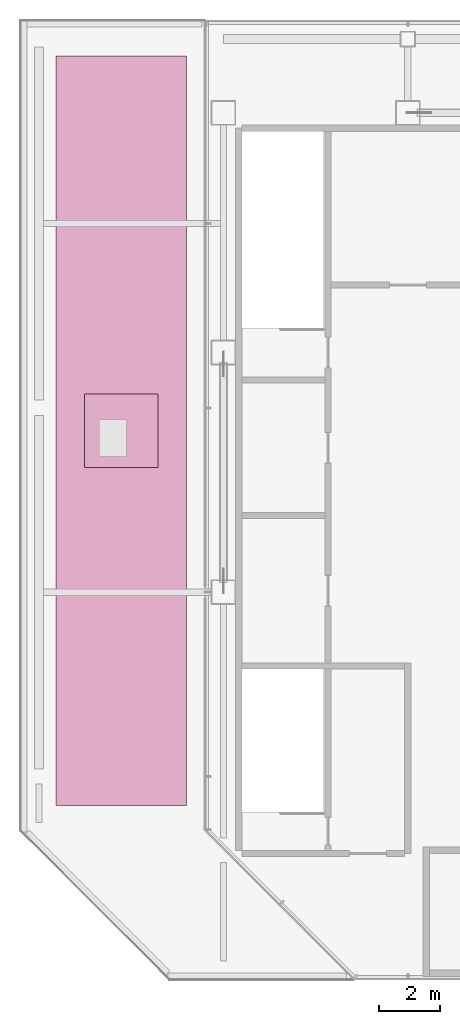
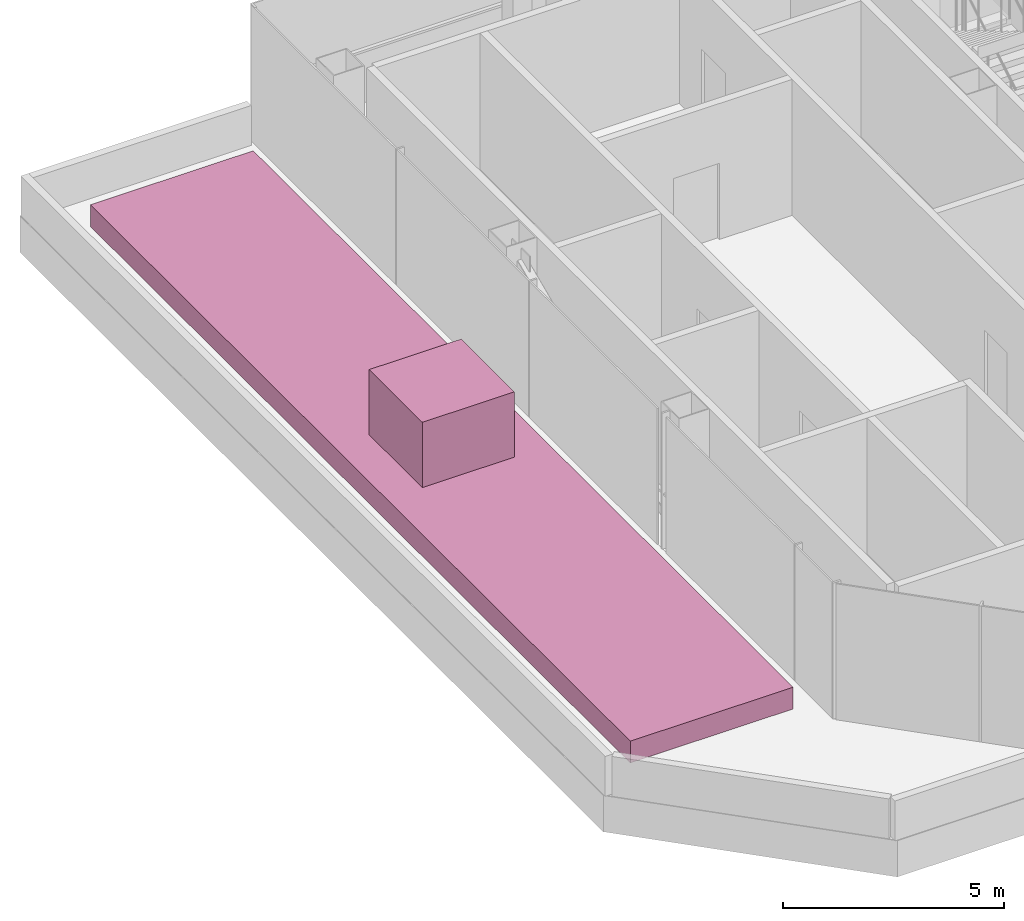
# One storey, part 12 of 12: 2 furniture elements.
"""IFC4 building model written with IfcOpenShell, lengths in metres."""

import ifcopenshell
import ifcopenshell.guid

model = None  # the IFC model being written
_history = None  # IfcOwnerHistory: only IFC2X3 demands one
_inside = {}  # id of a spatial element -> (the spatial element, [elements in it])
_under = {}  # id of a project, library or spatial element -> (it, [spatial elements below it])
_declared = {}  # id of a project -> (the project, [libraries it declares])
_typed = {}  # id of a type object -> (the type object, [elements of that type])
_made_of = {}  # id of a material, layer set ... -> (it, [elements and type objects made of it])


def new_model(schema):
    """Start an empty IFC model of exactly this schema.

    Asked for "IFC4X3", IfcOpenShell would pick the latest addendum, in which some entities
    have other attributes; the version numbers below select the first issue.
    IFC2X3 requires an IfcOwnerHistory on every rooted entity: one is made here for all.
    """
    global model, _history
    if schema == "IFC4X3":
        model = ifcopenshell.file(schema_version=(4, 3, 0, 0))
    else:
        model = ifcopenshell.file(schema=schema)
    _inside.clear()
    _under.clear()
    _declared.clear()
    _typed.clear()
    _made_of.clear()
    _history = None
    if model.schema == "IFC2X3":
        org = make("IfcOrganization", Name="unknown")
        user = make(
            "IfcPersonAndOrganization",
            ThePerson=make("IfcPerson", FamilyName="unknown"),
            TheOrganization=org,
        )
        app = make(
            "IfcApplication",
            ApplicationDeveloper=org,
            Version="unknown",
            ApplicationFullName="unknown",
            ApplicationIdentifier="unknown",
        )
        _history = make(
            "IfcOwnerHistory",
            OwningUser=user,
            OwningApplication=app,
            ChangeAction="ADDED",
            CreationDate=0,
        )
    return model


def make(cls, **values):
    """One entity of the class cls with the attributes given. An attribute that is None is left unset."""
    return model.create_entity(
        cls, **{name: value for name, value in values.items() if value is not None}
    )


def rooted(cls, **values):
    """An entity with a GlobalId (a new one), such as an element, a storey or a relation."""
    return make(cls, GlobalId=ifcopenshell.guid.new(), OwnerHistory=_history, **values)


def si_unit(unit_type, name, prefix=None):
    """IfcSIUnit, for example si_unit("LENGTHUNIT", "METRE", prefix="MILLI")."""
    return make("IfcSIUnit", UnitType=unit_type, Prefix=prefix, Name=name)


def assignment(units):
    """IfcUnitAssignment: the units of a project."""
    return None if units is None else make("IfcUnitAssignment", Units=units)


def point(xyz):
    """IfcCartesianPoint."""
    return None if xyz is None else make("IfcCartesianPoint", Coordinates=xyz)


def direction(xyz):
    """IfcDirection."""
    return None if xyz is None else make("IfcDirection", DirectionRatios=xyz)


def frame(location, z_axis=None, x_axis=None):
    """IfcAxis2Placement3D, a coordinate frame: its origin and axes. An axis left out is left unset."""
    return make(
        "IfcAxis2Placement3D",
        Location=point(location),
        Axis=direction(z_axis),
        RefDirection=direction(x_axis),
    )


def frame_2d(location, x_axis=None):
    """IfcAxis2Placement2D, a coordinate frame in the plane: its origin and x axis."""
    return make(
        "IfcAxis2Placement2D", Location=point(location), RefDirection=direction(x_axis)
    )


def origin():
    """The frame at (0, 0, 0) with its axes left unset."""
    return frame((0.0, 0.0, 0.0))


def origin_2d():
    """The frame at (0, 0) in the plane with its x axis left unset."""
    return frame_2d((0.0, 0.0))


def place(relative_to, where):
    """IfcLocalPlacement: puts the frame where relative to a parent placement (None: the world)."""
    return make(
        "IfcLocalPlacement", PlacementRelTo=relative_to, RelativePlacement=where
    )


def context(
    kind, dimensions, precision=None, world=None, true_north=None, identifier=None
):
    """IfcGeometricRepresentationContext, for example the 3D "Model" context."""
    return make(
        "IfcGeometricRepresentationContext",
        ContextIdentifier=identifier,
        ContextType=kind,
        CoordinateSpaceDimension=dimensions,
        Precision=precision,
        WorldCoordinateSystem=world,
        TrueNorth=true_north,
    )


def subcontext(parent, identifier, kind, view, scale=None):
    """IfcGeometricRepresentationSubContext, for example "Body" below "Model"."""
    return make(
        "IfcGeometricRepresentationSubContext",
        ContextIdentifier=identifier,
        ContextType=kind,
        ParentContext=parent,
        TargetScale=scale,
        TargetView=view,
    )


def project(units=None, contexts=None):
    """IfcProject with its units and contexts."""
    return rooted(
        "IfcProject",
        Name="project",
        RepresentationContexts=contexts,
        UnitsInContext=assignment(units),
    )


def spatial(cls, under=None, at=None, **own):
    """A site, building, storey or space (cls), placed at a placement, below another one or the project."""
    s = rooted(cls, ObjectPlacement=at, **own)
    if under is not None:
        _under.setdefault(under.id(), (under, []))[1].append(s)
    return s


def profile(cls, at=None, kind="AREA", **sizes):
    """A parametric profile (cls). Its sizes go by their IFC names, for example OverallWidth=200.0."""
    return make(cls, ProfileType=kind, Position=at, **sizes)


def rectangle(**sizes):
    """IfcRectangleProfileDef."""
    return profile("IfcRectangleProfileDef", **sizes)


def extrude(swept, where, along, depth):
    """IfcExtrudedAreaSolid: the profile swept, set in the frame where, extruded along a direction by depth."""
    return make(
        "IfcExtrudedAreaSolid",
        SweptArea=swept,
        Position=where,
        ExtrudedDirection=direction(along),
        Depth=depth,
    )


def shape(context_of_items, identifier, shape_type, items):
    """IfcShapeRepresentation: the items that make up one representation, for example the "Body"."""
    return make(
        "IfcShapeRepresentation",
        ContextOfItems=context_of_items,
        RepresentationIdentifier=identifier,
        RepresentationType=shape_type,
        Items=items,
    )


def material(Name=None, Category=None):
    """IfcMaterial."""
    return make("IfcMaterial", Name=Name, Category=Category)


def made_of(thing, what):
    """Note that an element or type object is made of a material, layer set ...; save() writes the relation."""
    if what is not None:
        _made_of.setdefault(what.id(), (what, []))[1].append(thing)
    return thing


def type_object(cls, material=None, **own):
    """A type object (cls), such as IfcWallType, which elements share."""
    return made_of(rooted(cls, **own), material)


def element(
    cls,
    number,
    at=None,
    inside=None,
    cuts=None,
    type_object=None,
    material=None,
    context=None,
    identifier="Body",
    shape_type=None,
    held_by="IfcProductDefinitionShape",
    body=None,
    shapes=None,
    **own,
):
    """One element of the class cls, such as IfcWall. Its Tag is "e" and its number.

    at: its placement. inside: the storey or other place that contains it. cuts: it is an
    opening in that element (IfcRelVoidsElement). A single representation is given by context,
    identifier, shape_type and body (its items); several are given by shapes. held_by: the class
    of the entity that holds the representations. save() writes the other relations.
    """
    e = rooted(cls, Tag="e%d" % number, ObjectPlacement=at, **own)
    if body is not None:
        shapes = [shape(context, identifier, shape_type, body)]
    if shapes is not None:
        e.Representation = make(held_by, Representations=shapes)
    if inside is not None:
        _inside.setdefault(inside.id(), (inside, []))[1].append(e)
    if cuts is not None:
        rooted(
            "IfcRelVoidsElement", RelatingBuildingElement=cuts, RelatedOpeningElement=e
        )
    if type_object is not None:
        _typed.setdefault(type_object.id(), (type_object, []))[1].append(e)
    return made_of(e, material)


def aggregate(whole, parts):
    """IfcRelAggregates: a whole, such as a stair, and the parts it consists of."""
    return rooted("IfcRelAggregates", RelatingObject=whole, RelatedObjects=parts)


def save(model, path):
    """Write the relations noted so far, then the file.

    IfcRelAggregates (storeys below a building ...), IfcRelContainedInSpatialStructure (elements
    in a storey), IfcRelDefinesByType, IfcRelAssociatesMaterial and IfcRelDeclares: one each for
    every whole, place, type object, material and project.
    """
    for whole, parts in _under.values():
        aggregate(whole, parts)
    for where, things in _inside.values():
        rooted(
            "IfcRelContainedInSpatialStructure",
            RelatedElements=things,
            RelatingStructure=where,
        )
    for kind, things in _typed.values():
        rooted("IfcRelDefinesByType", RelatedObjects=things, RelatingType=kind)
    for what, things in _made_of.values():
        rooted("IfcRelAssociatesMaterial", RelatedObjects=things, RelatingMaterial=what)
    for by, libraries in _declared.values():
        rooted("IfcRelDeclares", RelatingContext=by, RelatedDefinitions=libraries)
    model.write(path)


model = new_model("IFC4")

# Units and contexts
model_context = context("Model", 3, precision=1e-05, world=origin(), true_north=direction((0.0, 1.0)))
body_context = subcontext(model_context, "Body", "Model", "MODEL_VIEW")
ifc_project = project(units=[si_unit("LENGTHUNIT", "METRE"), si_unit("AREAUNIT", "SQUARE_METRE"), si_unit("VOLUMEUNIT", "CUBIC_METRE"), si_unit("PLANEANGLEUNIT", "RADIAN"), si_unit("MASSUNIT", "GRAM", prefix="KILO")], contexts=[model_context])

# Site, building, storey
site_placement = place(None, origin())
site = spatial("IfcSite", under=ifc_project, at=site_placement, CompositionType="ELEMENT")
building_placement = place(site_placement, origin())
building = spatial("IfcBuilding", under=site, at=building_placement, Name="Sorahane Residences", CompositionType="ELEMENT")
storey_placement = place(building_placement, frame((0.0, 0.0, 353.800048828125)))
storey = spatial("IfcBuildingStorey", under=building, at=storey_placement, Name="L84", CompositionType="ELEMENT", Elevation=353.800048828125)

# Furniture
ifc_material_1 = material(Name="Planting soil with shrubs in a steel-framed bed", Category="steel")
furniture_type_1 = type_object("IfcFurnitureType", Name="PLANTER bed black steel frame with soil 4250x24400", AssemblyPlace="NOTDEFINED", PredefinedType="NOTDEFINED", material=ifc_material_1)
furniture_1_placement = place(storey_placement, frame((2.675048828125, 35.25, 0.0), z_axis=(0.0, 0.0, 1.0), x_axis=(1.0, 0.0, 0.0)))
element("IfcFurniture", 1, at=furniture_1_placement, inside=storey, type_object=furniture_type_1, Name="PLANTER bed L84.1.1", PredefinedType="NOTDEFINED", context=body_context, shape_type="SweptSolid", body=[
    extrude(rectangle(XDim=4.25, YDim=24.39990234375, at=origin_2d()), origin(), (0.0, 0.0, 1.0), 0.60009765625),
])
ifc_material_2 = material(Name="Green foliage shrub planting")
furniture_type_2 = type_object("IfcFurnitureType", Name="PLANTER shrub planting green foliage", AssemblyPlace="NOTDEFINED", PredefinedType="NOTDEFINED", material=ifc_material_2)
furniture_2_placement = place(storey_placement, frame((2.675048828125, 35.25, 0.60009765625), z_axis=(0.0, 0.0, 1.0), x_axis=(1.0, 0.0, 0.0)))
element("IfcFurniture", 2, at=furniture_2_placement, inside=storey, type_object=furniture_type_2, Name="PLANTER shrub L84.1.1", PredefinedType="NOTDEFINED", context=body_context, shape_type="SweptSolid", body=[
    extrude(rectangle(XDim=2.39990234375, YDim=2.39990234375, at=origin_2d()), origin(), (0.0, 0.0, 1.0), 1.800048828125),
])

save(model, "model.ifc")
